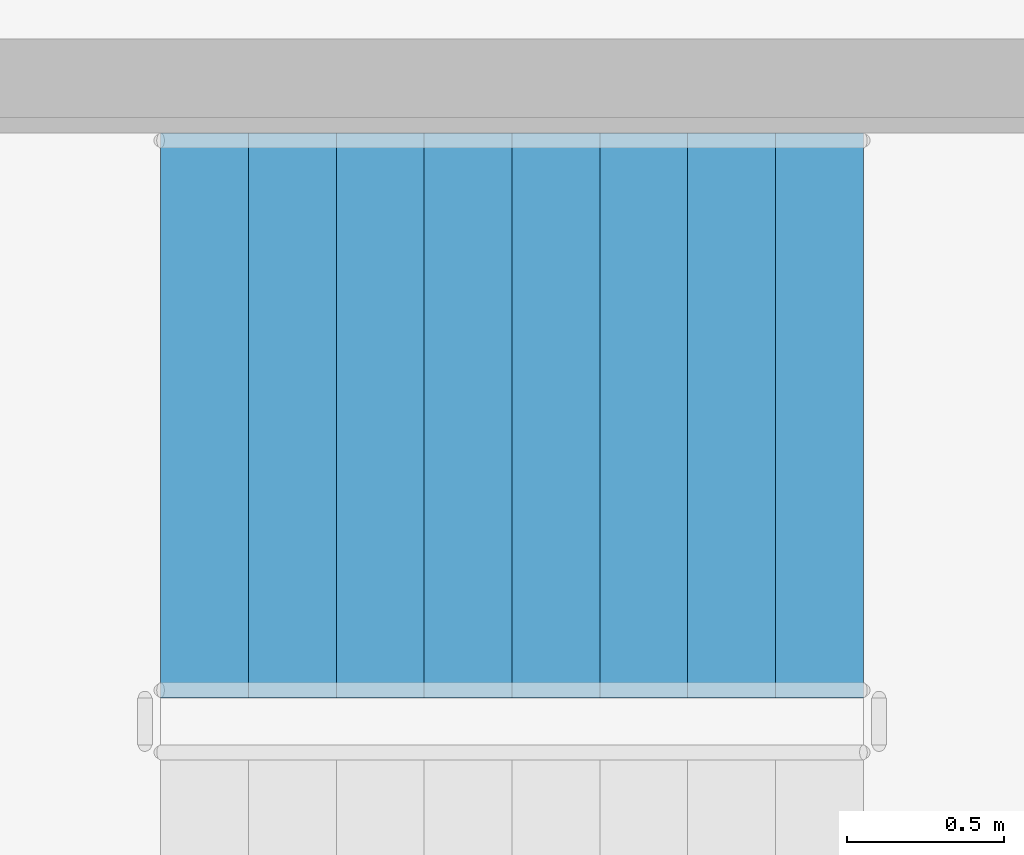
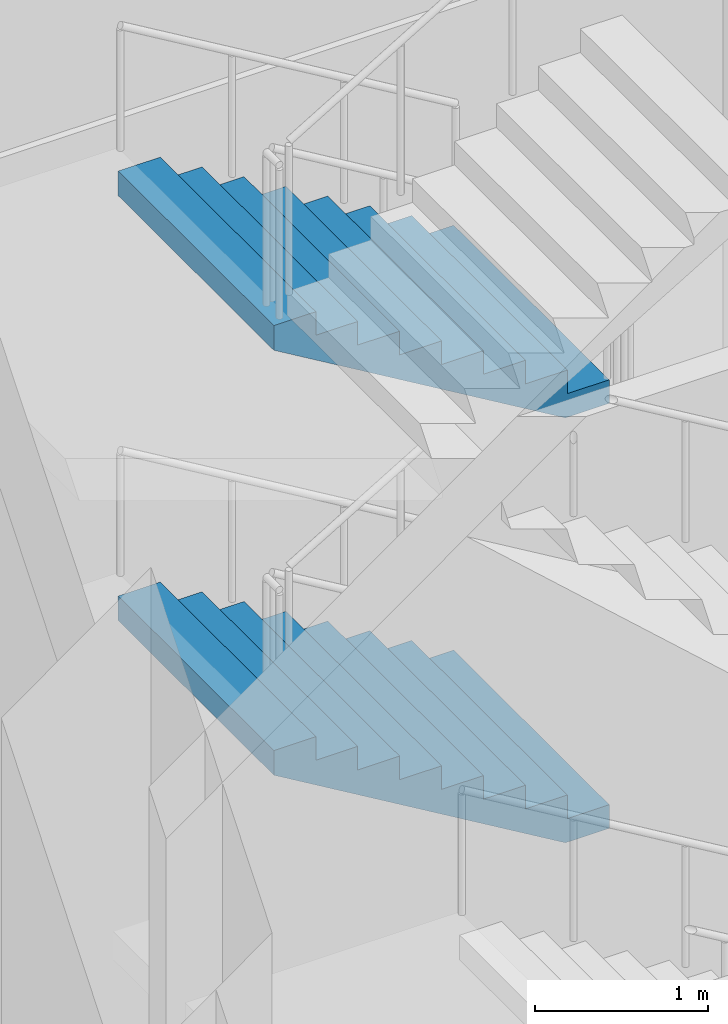
# One storey, part 22 of 39: 2 stair flights, 1 element without a shape of its own.
"""IFC4 building model written with IfcOpenShell, lengths in metres."""

from ifc_helpers import new_model, si_unit, direction, frame, origin, place, context, subcontext, project, spatial, triangles, material, type_object, element, aggregate, save


model = new_model("IFC4")

# Units and contexts
model_context = context("Model", 3, precision=1e-05, world=origin(), true_north=direction((0.0, 1.0)))
body_context = subcontext(model_context, "Body", "Model", "MODEL_VIEW")
ifc_project = project(units=[si_unit("LENGTHUNIT", "METRE"), si_unit("AREAUNIT", "SQUARE_METRE"), si_unit("VOLUMEUNIT", "CUBIC_METRE"), si_unit("PLANEANGLEUNIT", "RADIAN"), si_unit("MASSUNIT", "GRAM", prefix="KILO")], contexts=[model_context])

# Site, building, storey
site_placement = place(None, origin())
site = spatial("IfcSite", under=ifc_project, at=site_placement, CompositionType="ELEMENT")
building_placement = place(site_placement, origin())
building = spatial("IfcBuilding", under=site, at=building_placement, Name="Magnolia Steps Interchange", CompositionType="ELEMENT")
storey_placement = place(building_placement, frame((0.0, 0.0, -11.39990234375)))
storey = spatial("IfcBuildingStorey", under=building, at=storey_placement, Name="B2", CompositionType="ELEMENT", Elevation=-11.39990234375)

# Stair, stair flights
ifc_material_1 = material(Name="Concrete C40", Category="concrete")
stair_type = type_object("IfcStairType", Name="Exit stair 1800", PredefinedType="HALF_TURN_STAIR", material=ifc_material_1)
stair_placement = place(storey_placement, origin())
stair = element("IfcStair", 1, at=stair_placement, inside=storey, type_object=stair_type, Name="B2 Stair 12", PredefinedType="HALF_TURN_STAIR")
ifc_material_2 = material(Name="Concrete C40", Category="concrete")
stair_flight_type = type_object("IfcStairFlightType", Name="Exit stair flight", PredefinedType="STRAIGHT", material=ifc_material_2)
stair_flight_1_placement = place(storey_placement, frame((100.72509765625, 66.925048828125, 0.0), z_axis=(0.0, 0.0, 1.0), x_axis=(-1.0, 0.0, 0.0)))
stair_flight_1 = element("IfcStairFlight", 2, at=stair_flight_1_placement, type_object=stair_flight_type, Name="Stair 12 flight 1", NumberOfRisers=9, NumberOfTreads=8, PredefinedType="STRAIGHT", RiserHeight=0.166666667, TreadLength=0.28, context=body_context, shape_type="Tessellation", body=[
    triangles([(0.0, -0.9000244140625, 0.0), (0.29296875, -0.9000244140625, 0.0), (2.239990234375, -0.9000244140625, 1.158935546875), (2.239990234375, -0.9000244140625, 1.333251953125), (1.9599609375, -0.9000244140625, 1.333251953125), (1.9599609375, -0.9000244140625, 1.166748046875), (1.679931640625, -0.9000244140625, 1.166748046875), (1.679931640625, -0.9000244140625, 1.0), (1.39990234375, -0.9000244140625, 1.0), (1.39990234375, -0.9000244140625, 0.833251953125), (1.1201171875, -0.9000244140625, 0.833251953125), (1.1201171875, -0.9000244140625, 0.666748046875), (0.840087890625, -0.9000244140625, 0.666748046875), (0.840087890625, -0.9000244140625, 0.5), (0.56005859375, -0.9000244140625, 0.5), (0.56005859375, -0.9000244140625, 0.333251953125), (0.280029296875, -0.9000244140625, 0.333251953125), (0.280029296875, -0.9000244140625, 0.166748046875), (0.0, -0.9000244140625, 0.166748046875), (0.0, 0.9000244140625, 0.0), (0.29296875, 0.9000244140625, 0.0), (2.239990234375, 0.9000244140625, 1.158935546875), (2.239990234375, 0.9000244140625, 1.333251953125), (1.9599609375, 0.9000244140625, 1.333251953125), (1.9599609375, 0.9000244140625, 1.166748046875), (1.679931640625, 0.9000244140625, 1.166748046875), (1.679931640625, 0.9000244140625, 1.0), (1.39990234375, 0.9000244140625, 1.0), (1.39990234375, 0.9000244140625, 0.833251953125), (1.1201171875, 0.9000244140625, 0.833251953125), (1.1201171875, 0.9000244140625, 0.666748046875), (0.840087890625, 0.9000244140625, 0.666748046875), (0.840087890625, 0.9000244140625, 0.5), (0.56005859375, 0.9000244140625, 0.5), (0.56005859375, 0.9000244140625, 0.333251953125), (0.280029296875, 0.9000244140625, 0.333251953125), (0.280029296875, 0.9000244140625, 0.166748046875), (0.0, 0.9000244140625, 0.166748046875), (0.0, 0.0, 0.0), (0.0, 0.0, 0.04168701171875), (0.0, 0.0, 0.0833740234375), (0.0, 0.0, 0.12506103515625), (0.0, 0.0, 0.166748046875), (0.0, -0.05, 0.0), (0.0, -0.05, 0.166748046875), (0.0, 0.05, 0.0), (0.0, 0.05, 0.166748046875), (0.046671549479166664, 0.0, 0.166748046875), (0.09334309895833333, 0.0, 0.166748046875), (0.1400146484375, 0.0, 0.166748046875), (0.18668619791666666, 0.0, 0.166748046875), (0.23335774739583334, 0.0, 0.166748046875), (0.280029296875, 0.0, 0.166748046875), (0.280029296875, -0.05, 0.166748046875), (0.280029296875, 0.05, 0.166748046875), (0.280029296875, 0.0, 0.2083740234375), (0.280029296875, 0.0, 0.25), (0.280029296875, 0.0, 0.2916259765625), (0.280029296875, 0.0, 0.333251953125), (0.280029296875, -0.05, 0.333251953125), (0.280029296875, 0.05, 0.333251953125), (0.3267008463541667, 0.0, 0.333251953125), (0.3733723958333333, 0.0, 0.333251953125), (0.4200439453125, 0.0, 0.333251953125), (0.46671549479166663, 0.0, 0.333251953125), (0.5133870442708334, 0.0, 0.333251953125), (0.56005859375, 0.0, 0.333251953125), (0.56005859375, -0.05, 0.333251953125), (0.56005859375, 0.05, 0.333251953125), (0.56005859375, 0.0, 0.37493896484375), (0.56005859375, 0.0, 0.4166259765625), (0.56005859375, 0.0, 0.45831298828125), (0.56005859375, 0.0, 0.5), (0.56005859375, -0.05, 0.5), (0.56005859375, 0.05, 0.5), (0.6067301432291666, 0.0, 0.5), (0.6534016927083334, 0.0, 0.5), (0.7000732421875, 0.0, 0.5), (0.7467447916666666, 0.0, 0.5), (0.7934163411458334, 0.0, 0.5), (0.840087890625, 0.0, 0.5), (0.840087890625, -0.05, 0.5), (0.840087890625, 0.05, 0.5), (0.840087890625, 0.0, 0.54168701171875), (0.840087890625, 0.0, 0.5833740234375), (0.840087890625, 0.0, 0.62506103515625), (0.840087890625, 0.0, 0.666748046875), (0.840087890625, -0.05, 0.666748046875), (0.840087890625, 0.05, 0.666748046875), (0.8867594401041666, 0.0, 0.666748046875), (0.9334309895833334, 0.0, 0.666748046875), (0.9801025390625, 0.0, 0.666748046875), (1.0267740885416667, 0.0, 0.666748046875), (1.0734456380208333, 0.0, 0.666748046875), (1.1201171875, 0.0, 0.666748046875), (1.1201171875, -0.05, 0.666748046875), (1.1201171875, 0.05, 0.666748046875), (1.1201171875, 0.0, 0.7083740234375), (1.1201171875, 0.0, 0.75), (1.1201171875, 0.0, 0.7916259765625), (1.1201171875, 0.0, 0.833251953125), (1.1201171875, -0.05, 0.833251953125), (1.1201171875, 0.05, 0.833251953125), (1.1900634765625, 0.0, 0.833251953125), (1.260009765625, 0.0, 0.833251953125), (1.3299560546875, 0.0, 0.833251953125), (1.39990234375, 0.0, 0.833251953125), (1.39990234375, -0.05, 0.833251953125), (1.39990234375, 0.05, 0.833251953125), (1.39990234375, 0.0, 0.87493896484375), (1.39990234375, 0.0, 0.9166259765625), (1.39990234375, 0.0, 0.95831298828125), (1.39990234375, 0.0, 1.0), (1.39990234375, -0.05, 1.0), (1.39990234375, 0.05, 1.0), (1.4465738932291667, 0.0, 1.0), (1.4932454427083333, 0.0, 1.0), (1.5399169921875, 0.0, 1.0), (1.5865885416666667, 0.0, 1.0), (1.6332600911458333, 0.0, 1.0), (1.679931640625, 0.0, 1.0), (1.679931640625, -0.05, 1.0), (1.679931640625, 0.05, 1.0), (1.679931640625, 0.0, 1.04168701171875), (1.679931640625, 0.0, 1.0833740234375), (1.679931640625, 0.0, 1.12506103515625), (1.679931640625, 0.0, 1.166748046875), (1.679931640625, -0.05, 1.166748046875), (1.679931640625, 0.05, 1.166748046875), (1.7266031901041667, 0.0, 1.166748046875), (1.7732747395833333, 0.0, 1.166748046875), (1.8199462890625, 0.0, 1.166748046875), (1.8666178385416667, 0.0, 1.166748046875), (1.9132893880208333, 0.0, 1.166748046875), (1.9599609375, 0.0, 1.166748046875), (1.9599609375, -0.05, 1.166748046875), (1.9599609375, 0.05, 1.166748046875), (1.9599609375, 0.0, 1.2083740234375), (1.9599609375, 0.0, 1.25), (1.9599609375, 0.0, 1.2916259765625), (1.9599609375, 0.0, 1.333251953125), (1.9599609375, -0.05, 1.333251953125), (1.9599609375, 0.05, 1.333251953125), (2.0066324869791665, 0.0, 1.333251953125), (2.0533040364583335, 0.0, 1.333251953125), (2.0999755859375, 0.0, 1.333251953125), (2.1466471354166665, 0.0, 1.333251953125), (2.1933186848958335, 0.0, 1.333251953125), (2.239990234375, 0.0, 1.333251953125), (2.239990234375, -0.05, 1.333251953125), (2.239990234375, 0.05, 1.333251953125), (2.239990234375, 0.0, 1.2896728515625), (2.239990234375, 0.0, 1.24609375), (2.239990234375, 0.0, 1.2025146484375), (2.239990234375, 0.0, 1.158935546875), (2.239990234375, -0.05, 1.158935546875), (2.239990234375, 0.05, 1.158935546875), (2.1827248965992645, 0.0, 1.1248492072610294), (2.1254595588235294, 0.0, 1.0907628676470589), (2.068194221047794, 0.0, 1.0566765280330883), (2.010928883272059, 0.0, 1.0225901884191178), (1.9536635454963236, 0.0, 0.9885038488051471), (1.8963982077205883, 0.0, 0.9544175091911764), (1.8391328699448528, 0.0, 0.9203311695772058), (1.7818675321691178, 0.0, 0.8862448299632353), (1.7246021943933822, 0.0, 0.8521584903492647), (1.6673368566176472, 0.0, 0.8180721507352942), (1.6100715188419117, 0.0, 0.7839858111213236), (1.5528061810661766, 0.0, 0.7498994715073529), (1.4955408432904411, 0.0, 0.7158131318933824), (1.4382755055147058, 0.0, 0.6817267922794117), (1.3810101677389706, 0.0, 0.6476404526654411), (1.3237448299632353, 0.0, 0.6135541130514706), (1.2664794921875, 0.0, 0.5794677734375), (1.2092141544117647, 0.0, 0.5453814338235294), (1.1519488166360294, 0.0, 0.5112950942095589), (1.0946834788602942, 0.0, 0.4772087545955882), (1.0374181410845589, 0.0, 0.44312241498161764), (0.9801528033088236, 0.0, 0.4090360753676471), (0.9228874655330883, 0.0, 0.3749497357536765), (0.865622127757353, 0.0, 0.34086339613970584), (0.8083567899816178, 0.0, 0.3067770565257353), (0.7510914522058822, 0.0, 0.2726907169117647), (0.693826114430147, 0.0, 0.23860437729779416), (0.6365607766544117, 0.0, 0.20451803768382348), (0.5792954388786764, 0.0, 0.17043169806985292), (0.5220301011029411, 0.0, 0.13634535845588225), (0.46476476332720584, 0.0, 0.10225901884191169), (0.40749942555147056, 0.0, 0.06817267922794112), (0.3502340877757353, 0.0, 0.03408633961397056), (0.29296875, 0.0, 0.0), (0.29296875, -0.05, 0.0), (0.29296875, 0.05, 0.0), (0.244140625, 0.0, 0.0), (0.1953125, 0.0, 0.0), (0.146484375, 0.0, 0.0), (0.09765625, 0.0, 0.0), (0.048828125, 0.0, 0.0)], [[1, 2, 3], [3, 4, 5], [3, 5, 6], [3, 6, 7], [3, 7, 8], [8, 9, 10], [3, 8, 10], [10, 11, 12], [3, 10, 12], [12, 13, 14], [3, 12, 14], [14, 15, 16], [3, 14, 16], [1, 3, 16], [16, 17, 18], [1, 16, 18], [18, 19, 1], [20, 22, 21], [22, 24, 23], [22, 25, 24], [22, 26, 25], [22, 27, 26], [27, 29, 28], [22, 29, 27], [29, 31, 30], [22, 31, 29], [31, 33, 32], [22, 33, 31], [33, 35, 34], [22, 35, 33], [20, 35, 22], [35, 37, 36], [20, 37, 35], [37, 20, 38], [1, 19, 45], [1, 45, 44], [44, 40, 39], [44, 41, 40], [44, 45, 41], [45, 42, 41], [45, 43, 42], [20, 47, 38], [20, 46, 47], [46, 39, 40], [46, 40, 41], [46, 41, 47], [47, 41, 42], [47, 42, 43], [19, 18, 54], [19, 54, 45], [45, 48, 43], [45, 49, 48], [45, 50, 49], [45, 54, 50], [54, 51, 50], [54, 52, 51], [54, 53, 52], [38, 55, 37], [38, 47, 55], [47, 43, 48], [47, 48, 49], [47, 49, 50], [47, 50, 55], [55, 50, 51], [55, 51, 52], [55, 52, 53], [18, 17, 60], [18, 60, 54], [54, 56, 53], [54, 57, 56], [54, 60, 57], [60, 58, 57], [60, 59, 58], [37, 61, 36], [37, 55, 61], [55, 53, 56], [55, 56, 57], [55, 57, 61], [61, 57, 58], [61, 58, 59], [17, 16, 68], [17, 68, 60], [60, 62, 59], [60, 63, 62], [60, 64, 63], [60, 68, 64], [68, 65, 64], [68, 66, 65], [68, 67, 66], [36, 69, 35], [36, 61, 69], [61, 59, 62], [61, 62, 63], [61, 63, 64], [61, 64, 69], [69, 64, 65], [69, 65, 66], [69, 66, 67], [16, 15, 74], [16, 74, 68], [68, 70, 67], [68, 71, 70], [68, 74, 71], [74, 72, 71], [74, 73, 72], [35, 75, 34], [35, 69, 75], [69, 67, 70], [69, 70, 71], [69, 71, 75], [75, 71, 72], [75, 72, 73], [15, 14, 82], [15, 82, 74], [74, 76, 73], [74, 77, 76], [74, 78, 77], [74, 82, 78], [82, 79, 78], [82, 80, 79], [82, 81, 80], [34, 83, 33], [34, 75, 83], [75, 73, 76], [75, 76, 77], [75, 77, 78], [75, 78, 83], [83, 78, 79], [83, 79, 80], [83, 80, 81], [14, 13, 88], [14, 88, 82], [82, 84, 81], [82, 85, 84], [82, 88, 85], [88, 86, 85], [88, 87, 86], [33, 89, 32], [33, 83, 89], [83, 81, 84], [83, 84, 85], [83, 85, 89], [89, 85, 86], [89, 86, 87], [13, 12, 96], [13, 96, 88], [88, 90, 87], [88, 91, 90], [88, 92, 91], [88, 96, 92], [96, 93, 92], [96, 94, 93], [96, 95, 94], [32, 97, 31], [32, 89, 97], [89, 87, 90], [89, 90, 91], [89, 91, 92], [89, 92, 97], [97, 92, 93], [97, 93, 94], [97, 94, 95], [12, 11, 102], [12, 102, 96], [96, 98, 95], [96, 99, 98], [96, 102, 99], [102, 100, 99], [102, 101, 100], [31, 103, 30], [31, 97, 103], [97, 95, 98], [97, 98, 99], [97, 99, 103], [103, 99, 100], [103, 100, 101], [11, 10, 108], [11, 108, 102], [102, 104, 101], [102, 105, 104], [102, 108, 105], [108, 106, 105], [108, 107, 106], [30, 109, 29], [30, 103, 109], [103, 101, 104], [103, 104, 105], [103, 105, 109], [109, 105, 106], [109, 106, 107], [10, 9, 114], [10, 114, 108], [108, 110, 107], [108, 111, 110], [108, 114, 111], [114, 112, 111], [114, 113, 112], [29, 115, 28], [29, 109, 115], [109, 107, 110], [109, 110, 111], [109, 111, 115], [115, 111, 112], [115, 112, 113], [9, 8, 122], [9, 122, 114], [114, 116, 113], [114, 117, 116], [114, 118, 117], [114, 122, 118], [122, 119, 118], [122, 120, 119], [122, 121, 120], [28, 123, 27], [28, 115, 123], [115, 113, 116], [115, 116, 117], [115, 117, 118], [115, 118, 123], [123, 118, 119], [123, 119, 120], [123, 120, 121], [8, 7, 128], [8, 128, 122], [122, 124, 121], [122, 125, 124], [122, 128, 125], [128, 126, 125], [128, 127, 126], [27, 129, 26], [27, 123, 129], [123, 121, 124], [123, 124, 125], [123, 125, 129], [129, 125, 126], [129, 126, 127], [7, 6, 136], [7, 136, 128], [128, 130, 127], [128, 131, 130], [128, 132, 131], [128, 136, 132], [136, 133, 132], [136, 134, 133], [136, 135, 134], [26, 137, 25], [26, 129, 137], [129, 127, 130], [129, 130, 131], [129, 131, 132], [129, 132, 137], [137, 132, 133], [137, 133, 134], [137, 134, 135], [6, 5, 142], [6, 142, 136], [136, 138, 135], [136, 139, 138], [136, 142, 139], [142, 140, 139], [142, 141, 140], [25, 143, 24], [25, 137, 143], [137, 135, 138], [137, 138, 139], [137, 139, 143], [143, 139, 140], [143, 140, 141], [5, 4, 150], [5, 150, 142], [142, 144, 141], [142, 145, 144], [142, 146, 145], [142, 150, 146], [150, 147, 146], [150, 148, 147], [150, 149, 148], [24, 151, 23], [24, 143, 151], [143, 141, 144], [143, 144, 145], [143, 145, 146], [143, 146, 151], [151, 146, 147], [151, 147, 148], [151, 148, 149], [4, 3, 156], [4, 156, 150], [150, 152, 149], [150, 153, 152], [150, 156, 153], [156, 154, 153], [156, 155, 154], [23, 157, 22], [23, 151, 157], [151, 149, 152], [151, 152, 153], [151, 153, 157], [157, 153, 154], [157, 154, 155], [3, 2, 192], [3, 192, 156], [156, 158, 155], [156, 159, 158], [156, 160, 159], [156, 161, 160], [156, 162, 161], [156, 163, 162], [156, 164, 163], [156, 165, 164], [156, 166, 165], [156, 167, 166], [156, 168, 167], [156, 169, 168], [156, 170, 169], [156, 171, 170], [156, 172, 171], [156, 173, 172], [156, 174, 173], [156, 192, 174], [192, 175, 174], [192, 176, 175], [192, 177, 176], [192, 178, 177], [192, 179, 178], [192, 180, 179], [192, 181, 180], [192, 182, 181], [192, 183, 182], [192, 184, 183], [192, 185, 184], [192, 186, 185], [192, 187, 186], [192, 188, 187], [192, 189, 188], [192, 190, 189], [192, 191, 190], [22, 193, 21], [22, 157, 193], [157, 155, 158], [157, 158, 159], [157, 159, 160], [157, 160, 161], [157, 161, 162], [157, 162, 163], [157, 163, 164], [157, 164, 165], [157, 165, 166], [157, 166, 167], [157, 167, 168], [157, 168, 169], [157, 169, 170], [157, 170, 171], [157, 171, 172], [157, 172, 173], [157, 173, 174], [157, 174, 193], [193, 174, 175], [193, 175, 176], [193, 176, 177], [193, 177, 178], [193, 178, 179], [193, 179, 180], [193, 180, 181], [193, 181, 182], [193, 182, 183], [193, 183, 184], [193, 184, 185], [193, 185, 186], [193, 186, 187], [193, 187, 188], [193, 188, 189], [193, 189, 190], [193, 190, 191], [2, 1, 44], [2, 44, 192], [192, 194, 191], [192, 195, 194], [192, 196, 195], [192, 44, 196], [44, 197, 196], [44, 198, 197], [44, 39, 198], [21, 46, 20], [21, 193, 46], [193, 191, 194], [193, 194, 195], [193, 195, 196], [193, 196, 46], [46, 196, 197], [46, 197, 198], [46, 198, 39]], closed=True),
])
stair_flight_2_placement = place(storey_placement, frame((100.72509765625, 66.925048828125, 3.0), z_axis=(0.0, 0.0, 1.0), x_axis=(-1.0, 0.0, 0.0)))
stair_flight_2 = element("IfcStairFlight", 3, at=stair_flight_2_placement, type_object=stair_flight_type, Name="Stair 12 flight 3", NumberOfRisers=9, NumberOfTreads=8, PredefinedType="STRAIGHT", RiserHeight=0.166666667, TreadLength=0.28, context=body_context, shape_type="Tessellation", body=[
    triangles([(0.0, -0.9000244140625, 0.0), (0.29296875, -0.9000244140625, 0.0), (2.239990234375, -0.9000244140625, 1.158935546875), (2.239990234375, -0.9000244140625, 1.333251953125), (1.9599609375, -0.9000244140625, 1.333251953125), (1.9599609375, -0.9000244140625, 1.166748046875), (1.679931640625, -0.9000244140625, 1.166748046875), (1.679931640625, -0.9000244140625, 1.0), (1.39990234375, -0.9000244140625, 1.0), (1.39990234375, -0.9000244140625, 0.833251953125), (1.1201171875, -0.9000244140625, 0.833251953125), (1.1201171875, -0.9000244140625, 0.666748046875), (0.840087890625, -0.9000244140625, 0.666748046875), (0.840087890625, -0.9000244140625, 0.5), (0.56005859375, -0.9000244140625, 0.5), (0.56005859375, -0.9000244140625, 0.333251953125), (0.280029296875, -0.9000244140625, 0.333251953125), (0.280029296875, -0.9000244140625, 0.166748046875), (0.0, -0.9000244140625, 0.166748046875), (0.0, 0.9000244140625, 0.0), (0.29296875, 0.9000244140625, 0.0), (2.239990234375, 0.9000244140625, 1.158935546875), (2.239990234375, 0.9000244140625, 1.333251953125), (1.9599609375, 0.9000244140625, 1.333251953125), (1.9599609375, 0.9000244140625, 1.166748046875), (1.679931640625, 0.9000244140625, 1.166748046875), (1.679931640625, 0.9000244140625, 1.0), (1.39990234375, 0.9000244140625, 1.0), (1.39990234375, 0.9000244140625, 0.833251953125), (1.1201171875, 0.9000244140625, 0.833251953125), (1.1201171875, 0.9000244140625, 0.666748046875), (0.840087890625, 0.9000244140625, 0.666748046875), (0.840087890625, 0.9000244140625, 0.5), (0.56005859375, 0.9000244140625, 0.5), (0.56005859375, 0.9000244140625, 0.333251953125), (0.280029296875, 0.9000244140625, 0.333251953125), (0.280029296875, 0.9000244140625, 0.166748046875), (0.0, 0.9000244140625, 0.166748046875), (0.0, 0.0, 0.0), (0.0, 0.0, 0.04168701171875), (0.0, 0.0, 0.0833740234375), (0.0, 0.0, 0.12506103515625), (0.0, 0.0, 0.166748046875), (0.0, -0.05, 0.0), (0.0, -0.05, 0.166748046875), (0.0, 0.05, 0.0), (0.0, 0.05, 0.166748046875), (0.046671549479166664, 0.0, 0.166748046875), (0.09334309895833333, 0.0, 0.166748046875), (0.1400146484375, 0.0, 0.166748046875), (0.18668619791666666, 0.0, 0.166748046875), (0.23335774739583334, 0.0, 0.166748046875), (0.280029296875, 0.0, 0.166748046875), (0.280029296875, -0.05, 0.166748046875), (0.280029296875, 0.05, 0.166748046875), (0.280029296875, 0.0, 0.2083740234375), (0.280029296875, 0.0, 0.25), (0.280029296875, 0.0, 0.2916259765625), (0.280029296875, 0.0, 0.333251953125), (0.280029296875, -0.05, 0.333251953125), (0.280029296875, 0.05, 0.333251953125), (0.3267008463541667, 0.0, 0.333251953125), (0.3733723958333333, 0.0, 0.333251953125), (0.4200439453125, 0.0, 0.333251953125), (0.46671549479166663, 0.0, 0.333251953125), (0.5133870442708334, 0.0, 0.333251953125), (0.56005859375, 0.0, 0.333251953125), (0.56005859375, -0.05, 0.333251953125), (0.56005859375, 0.05, 0.333251953125), (0.56005859375, 0.0, 0.37493896484375), (0.56005859375, 0.0, 0.4166259765625), (0.56005859375, 0.0, 0.45831298828125), (0.56005859375, 0.0, 0.5), (0.56005859375, -0.05, 0.5), (0.56005859375, 0.05, 0.5), (0.6067301432291666, 0.0, 0.5), (0.6534016927083334, 0.0, 0.5), (0.7000732421875, 0.0, 0.5), (0.7467447916666666, 0.0, 0.5), (0.7934163411458334, 0.0, 0.5), (0.840087890625, 0.0, 0.5), (0.840087890625, -0.05, 0.5), (0.840087890625, 0.05, 0.5), (0.840087890625, 0.0, 0.54168701171875), (0.840087890625, 0.0, 0.5833740234375), (0.840087890625, 0.0, 0.62506103515625), (0.840087890625, 0.0, 0.666748046875), (0.840087890625, -0.05, 0.666748046875), (0.840087890625, 0.05, 0.666748046875), (0.8867594401041666, 0.0, 0.666748046875), (0.9334309895833334, 0.0, 0.666748046875), (0.9801025390625, 0.0, 0.666748046875), (1.0267740885416667, 0.0, 0.666748046875), (1.0734456380208333, 0.0, 0.666748046875), (1.1201171875, 0.0, 0.666748046875), (1.1201171875, -0.05, 0.666748046875), (1.1201171875, 0.05, 0.666748046875), (1.1201171875, 0.0, 0.7083740234375), (1.1201171875, 0.0, 0.75), (1.1201171875, 0.0, 0.7916259765625), (1.1201171875, 0.0, 0.833251953125), (1.1201171875, -0.05, 0.833251953125), (1.1201171875, 0.05, 0.833251953125), (1.1900634765625, 0.0, 0.833251953125), (1.260009765625, 0.0, 0.833251953125), (1.3299560546875, 0.0, 0.833251953125), (1.39990234375, 0.0, 0.833251953125), (1.39990234375, -0.05, 0.833251953125), (1.39990234375, 0.05, 0.833251953125), (1.39990234375, 0.0, 0.87493896484375), (1.39990234375, 0.0, 0.9166259765625), (1.39990234375, 0.0, 0.95831298828125), (1.39990234375, 0.0, 1.0), (1.39990234375, -0.05, 1.0), (1.39990234375, 0.05, 1.0), (1.4465738932291667, 0.0, 1.0), (1.4932454427083333, 0.0, 1.0), (1.5399169921875, 0.0, 1.0), (1.5865885416666667, 0.0, 1.0), (1.6332600911458333, 0.0, 1.0), (1.679931640625, 0.0, 1.0), (1.679931640625, -0.05, 1.0), (1.679931640625, 0.05, 1.0), (1.679931640625, 0.0, 1.04168701171875), (1.679931640625, 0.0, 1.0833740234375), (1.679931640625, 0.0, 1.12506103515625), (1.679931640625, 0.0, 1.166748046875), (1.679931640625, -0.05, 1.166748046875), (1.679931640625, 0.05, 1.166748046875), (1.7266031901041667, 0.0, 1.166748046875), (1.7732747395833333, 0.0, 1.166748046875), (1.8199462890625, 0.0, 1.166748046875), (1.8666178385416667, 0.0, 1.166748046875), (1.9132893880208333, 0.0, 1.166748046875), (1.9599609375, 0.0, 1.166748046875), (1.9599609375, -0.05, 1.166748046875), (1.9599609375, 0.05, 1.166748046875), (1.9599609375, 0.0, 1.2083740234375), (1.9599609375, 0.0, 1.25), (1.9599609375, 0.0, 1.2916259765625), (1.9599609375, 0.0, 1.333251953125), (1.9599609375, -0.05, 1.333251953125), (1.9599609375, 0.05, 1.333251953125), (2.0066324869791665, 0.0, 1.333251953125), (2.0533040364583335, 0.0, 1.333251953125), (2.0999755859375, 0.0, 1.333251953125), (2.1466471354166665, 0.0, 1.333251953125), (2.1933186848958335, 0.0, 1.333251953125), (2.239990234375, 0.0, 1.333251953125), (2.239990234375, -0.05, 1.333251953125), (2.239990234375, 0.05, 1.333251953125), (2.239990234375, 0.0, 1.2896728515625), (2.239990234375, 0.0, 1.24609375), (2.239990234375, 0.0, 1.2025146484375), (2.239990234375, 0.0, 1.158935546875), (2.239990234375, -0.05, 1.158935546875), (2.239990234375, 0.05, 1.158935546875), (2.1827248965992645, 0.0, 1.1248492072610294), (2.1254595588235294, 0.0, 1.0907628676470589), (2.068194221047794, 0.0, 1.0566765280330883), (2.010928883272059, 0.0, 1.0225901884191178), (1.9536635454963236, 0.0, 0.9885038488051471), (1.8963982077205883, 0.0, 0.9544175091911764), (1.8391328699448528, 0.0, 0.9203311695772058), (1.7818675321691178, 0.0, 0.8862448299632353), (1.7246021943933822, 0.0, 0.8521584903492647), (1.6673368566176472, 0.0, 0.8180721507352942), (1.6100715188419117, 0.0, 0.7839858111213236), (1.5528061810661766, 0.0, 0.7498994715073529), (1.4955408432904411, 0.0, 0.7158131318933824), (1.4382755055147058, 0.0, 0.6817267922794117), (1.3810101677389706, 0.0, 0.6476404526654411), (1.3237448299632353, 0.0, 0.6135541130514706), (1.2664794921875, 0.0, 0.5794677734375), (1.2092141544117647, 0.0, 0.5453814338235294), (1.1519488166360294, 0.0, 0.5112950942095589), (1.0946834788602942, 0.0, 0.4772087545955882), (1.0374181410845589, 0.0, 0.44312241498161764), (0.9801528033088236, 0.0, 0.4090360753676471), (0.9228874655330883, 0.0, 0.3749497357536765), (0.865622127757353, 0.0, 0.34086339613970584), (0.8083567899816178, 0.0, 0.3067770565257353), (0.7510914522058822, 0.0, 0.2726907169117647), (0.693826114430147, 0.0, 0.23860437729779416), (0.6365607766544117, 0.0, 0.20451803768382348), (0.5792954388786764, 0.0, 0.17043169806985292), (0.5220301011029411, 0.0, 0.13634535845588225), (0.46476476332720584, 0.0, 0.10225901884191169), (0.40749942555147056, 0.0, 0.06817267922794112), (0.3502340877757353, 0.0, 0.03408633961397056), (0.29296875, 0.0, 0.0), (0.29296875, -0.05, 0.0), (0.29296875, 0.05, 0.0), (0.244140625, 0.0, 0.0), (0.1953125, 0.0, 0.0), (0.146484375, 0.0, 0.0), (0.09765625, 0.0, 0.0), (0.048828125, 0.0, 0.0)], [[1, 2, 3], [3, 4, 5], [3, 5, 6], [3, 6, 7], [3, 7, 8], [8, 9, 10], [3, 8, 10], [10, 11, 12], [3, 10, 12], [12, 13, 14], [3, 12, 14], [14, 15, 16], [3, 14, 16], [1, 3, 16], [16, 17, 18], [1, 16, 18], [18, 19, 1], [20, 22, 21], [22, 24, 23], [22, 25, 24], [22, 26, 25], [22, 27, 26], [27, 29, 28], [22, 29, 27], [29, 31, 30], [22, 31, 29], [31, 33, 32], [22, 33, 31], [33, 35, 34], [22, 35, 33], [20, 35, 22], [35, 37, 36], [20, 37, 35], [37, 20, 38], [1, 19, 45], [1, 45, 44], [44, 40, 39], [44, 41, 40], [44, 45, 41], [45, 42, 41], [45, 43, 42], [20, 47, 38], [20, 46, 47], [46, 39, 40], [46, 40, 41], [46, 41, 47], [47, 41, 42], [47, 42, 43], [19, 18, 54], [19, 54, 45], [45, 48, 43], [45, 49, 48], [45, 50, 49], [45, 54, 50], [54, 51, 50], [54, 52, 51], [54, 53, 52], [38, 55, 37], [38, 47, 55], [47, 43, 48], [47, 48, 49], [47, 49, 50], [47, 50, 55], [55, 50, 51], [55, 51, 52], [55, 52, 53], [18, 17, 60], [18, 60, 54], [54, 56, 53], [54, 57, 56], [54, 60, 57], [60, 58, 57], [60, 59, 58], [37, 61, 36], [37, 55, 61], [55, 53, 56], [55, 56, 57], [55, 57, 61], [61, 57, 58], [61, 58, 59], [17, 16, 68], [17, 68, 60], [60, 62, 59], [60, 63, 62], [60, 64, 63], [60, 68, 64], [68, 65, 64], [68, 66, 65], [68, 67, 66], [36, 69, 35], [36, 61, 69], [61, 59, 62], [61, 62, 63], [61, 63, 64], [61, 64, 69], [69, 64, 65], [69, 65, 66], [69, 66, 67], [16, 15, 74], [16, 74, 68], [68, 70, 67], [68, 71, 70], [68, 74, 71], [74, 72, 71], [74, 73, 72], [35, 75, 34], [35, 69, 75], [69, 67, 70], [69, 70, 71], [69, 71, 75], [75, 71, 72], [75, 72, 73], [15, 14, 82], [15, 82, 74], [74, 76, 73], [74, 77, 76], [74, 78, 77], [74, 82, 78], [82, 79, 78], [82, 80, 79], [82, 81, 80], [34, 83, 33], [34, 75, 83], [75, 73, 76], [75, 76, 77], [75, 77, 78], [75, 78, 83], [83, 78, 79], [83, 79, 80], [83, 80, 81], [14, 13, 88], [14, 88, 82], [82, 84, 81], [82, 85, 84], [82, 88, 85], [88, 86, 85], [88, 87, 86], [33, 89, 32], [33, 83, 89], [83, 81, 84], [83, 84, 85], [83, 85, 89], [89, 85, 86], [89, 86, 87], [13, 12, 96], [13, 96, 88], [88, 90, 87], [88, 91, 90], [88, 92, 91], [88, 96, 92], [96, 93, 92], [96, 94, 93], [96, 95, 94], [32, 97, 31], [32, 89, 97], [89, 87, 90], [89, 90, 91], [89, 91, 92], [89, 92, 97], [97, 92, 93], [97, 93, 94], [97, 94, 95], [12, 11, 102], [12, 102, 96], [96, 98, 95], [96, 99, 98], [96, 102, 99], [102, 100, 99], [102, 101, 100], [31, 103, 30], [31, 97, 103], [97, 95, 98], [97, 98, 99], [97, 99, 103], [103, 99, 100], [103, 100, 101], [11, 10, 108], [11, 108, 102], [102, 104, 101], [102, 105, 104], [102, 108, 105], [108, 106, 105], [108, 107, 106], [30, 109, 29], [30, 103, 109], [103, 101, 104], [103, 104, 105], [103, 105, 109], [109, 105, 106], [109, 106, 107], [10, 9, 114], [10, 114, 108], [108, 110, 107], [108, 111, 110], [108, 114, 111], [114, 112, 111], [114, 113, 112], [29, 115, 28], [29, 109, 115], [109, 107, 110], [109, 110, 111], [109, 111, 115], [115, 111, 112], [115, 112, 113], [9, 8, 122], [9, 122, 114], [114, 116, 113], [114, 117, 116], [114, 118, 117], [114, 122, 118], [122, 119, 118], [122, 120, 119], [122, 121, 120], [28, 123, 27], [28, 115, 123], [115, 113, 116], [115, 116, 117], [115, 117, 118], [115, 118, 123], [123, 118, 119], [123, 119, 120], [123, 120, 121], [8, 7, 128], [8, 128, 122], [122, 124, 121], [122, 125, 124], [122, 128, 125], [128, 126, 125], [128, 127, 126], [27, 129, 26], [27, 123, 129], [123, 121, 124], [123, 124, 125], [123, 125, 129], [129, 125, 126], [129, 126, 127], [7, 6, 136], [7, 136, 128], [128, 130, 127], [128, 131, 130], [128, 132, 131], [128, 136, 132], [136, 133, 132], [136, 134, 133], [136, 135, 134], [26, 137, 25], [26, 129, 137], [129, 127, 130], [129, 130, 131], [129, 131, 132], [129, 132, 137], [137, 132, 133], [137, 133, 134], [137, 134, 135], [6, 5, 142], [6, 142, 136], [136, 138, 135], [136, 139, 138], [136, 142, 139], [142, 140, 139], [142, 141, 140], [25, 143, 24], [25, 137, 143], [137, 135, 138], [137, 138, 139], [137, 139, 143], [143, 139, 140], [143, 140, 141], [5, 4, 150], [5, 150, 142], [142, 144, 141], [142, 145, 144], [142, 146, 145], [142, 150, 146], [150, 147, 146], [150, 148, 147], [150, 149, 148], [24, 151, 23], [24, 143, 151], [143, 141, 144], [143, 144, 145], [143, 145, 146], [143, 146, 151], [151, 146, 147], [151, 147, 148], [151, 148, 149], [4, 3, 156], [4, 156, 150], [150, 152, 149], [150, 153, 152], [150, 156, 153], [156, 154, 153], [156, 155, 154], [23, 157, 22], [23, 151, 157], [151, 149, 152], [151, 152, 153], [151, 153, 157], [157, 153, 154], [157, 154, 155], [3, 2, 192], [3, 192, 156], [156, 158, 155], [156, 159, 158], [156, 160, 159], [156, 161, 160], [156, 162, 161], [156, 163, 162], [156, 164, 163], [156, 165, 164], [156, 166, 165], [156, 167, 166], [156, 168, 167], [156, 169, 168], [156, 170, 169], [156, 171, 170], [156, 172, 171], [156, 173, 172], [156, 174, 173], [156, 192, 174], [192, 175, 174], [192, 176, 175], [192, 177, 176], [192, 178, 177], [192, 179, 178], [192, 180, 179], [192, 181, 180], [192, 182, 181], [192, 183, 182], [192, 184, 183], [192, 185, 184], [192, 186, 185], [192, 187, 186], [192, 188, 187], [192, 189, 188], [192, 190, 189], [192, 191, 190], [22, 193, 21], [22, 157, 193], [157, 155, 158], [157, 158, 159], [157, 159, 160], [157, 160, 161], [157, 161, 162], [157, 162, 163], [157, 163, 164], [157, 164, 165], [157, 165, 166], [157, 166, 167], [157, 167, 168], [157, 168, 169], [157, 169, 170], [157, 170, 171], [157, 171, 172], [157, 172, 173], [157, 173, 174], [157, 174, 193], [193, 174, 175], [193, 175, 176], [193, 176, 177], [193, 177, 178], [193, 178, 179], [193, 179, 180], [193, 180, 181], [193, 181, 182], [193, 182, 183], [193, 183, 184], [193, 184, 185], [193, 185, 186], [193, 186, 187], [193, 187, 188], [193, 188, 189], [193, 189, 190], [193, 190, 191], [2, 1, 44], [2, 44, 192], [192, 194, 191], [192, 195, 194], [192, 196, 195], [192, 44, 196], [44, 197, 196], [44, 198, 197], [44, 39, 198], [21, 46, 20], [21, 193, 46], [193, 191, 194], [193, 194, 195], [193, 195, 196], [193, 196, 46], [46, 196, 197], [46, 197, 198], [46, 198, 39]], closed=True),
])
aggregate(stair, [stair_flight_1, stair_flight_2])

save(model, "model.ifc")
